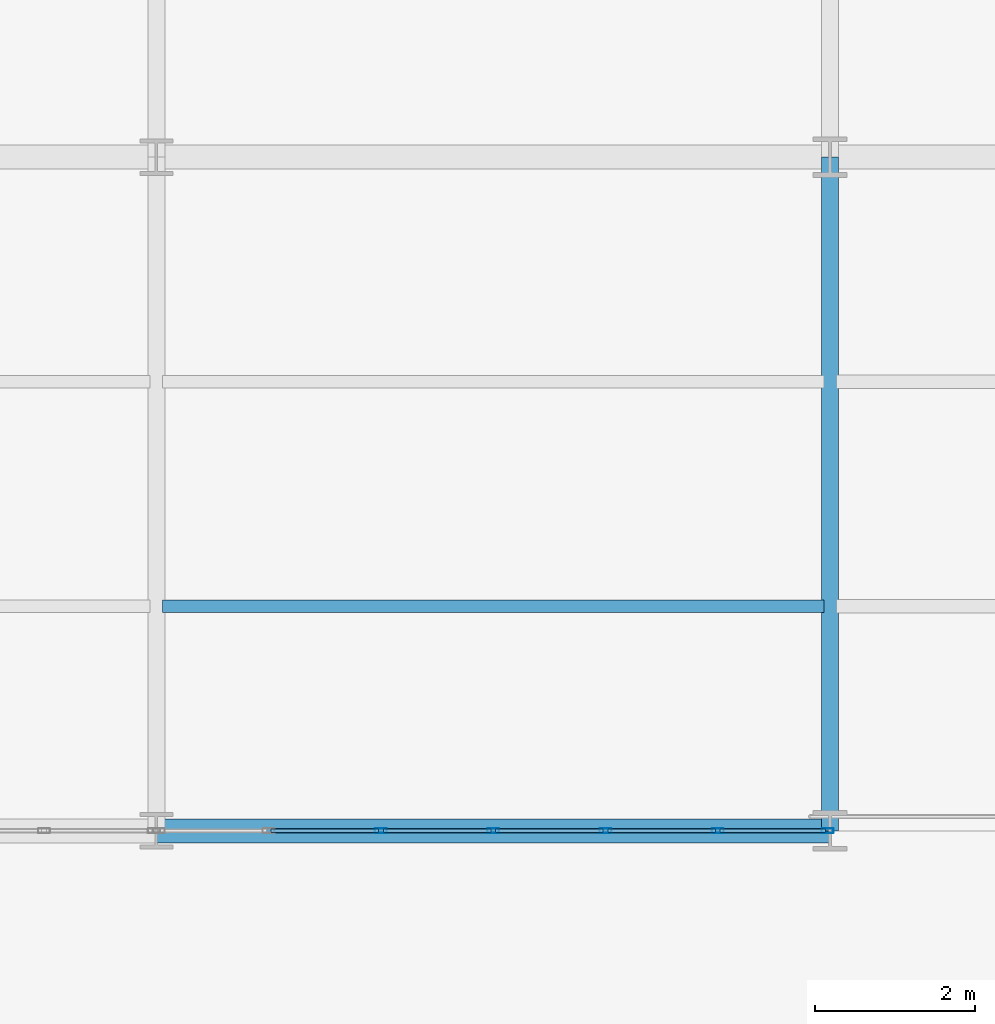
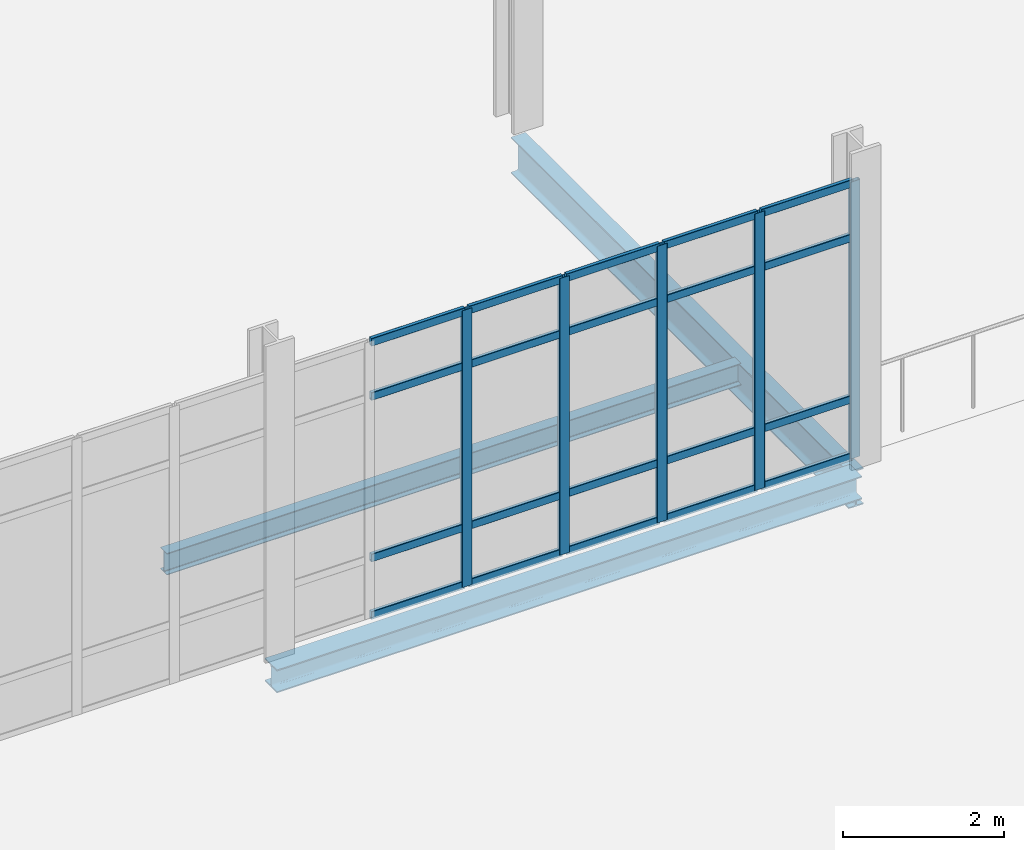
# One storey, part 105 of 145: 25 members, 3 beams, 1 element without a shape of its own.
"""IFC4 building model written with IfcOpenShell, lengths in metres."""

import ifcopenshell
import ifcopenshell.guid

model = None  # the IFC model being written
_history = None  # IfcOwnerHistory: only IFC2X3 demands one
_inside = {}  # id of a spatial element -> (the spatial element, [elements in it])
_under = {}  # id of a project, library or spatial element -> (it, [spatial elements below it])
_declared = {}  # id of a project -> (the project, [libraries it declares])
_typed = {}  # id of a type object -> (the type object, [elements of that type])
_made_of = {}  # id of a material, layer set ... -> (it, [elements and type objects made of it])


def new_model(schema):
    """Start an empty IFC model of exactly this schema.

    Asked for "IFC4X3", IfcOpenShell would pick the latest addendum, in which some entities
    have other attributes; the version numbers below select the first issue.
    IFC2X3 requires an IfcOwnerHistory on every rooted entity: one is made here for all.
    """
    global model, _history
    if schema == "IFC4X3":
        model = ifcopenshell.file(schema_version=(4, 3, 0, 0))
    else:
        model = ifcopenshell.file(schema=schema)
    _inside.clear()
    _under.clear()
    _declared.clear()
    _typed.clear()
    _made_of.clear()
    _history = None
    if model.schema == "IFC2X3":
        org = make("IfcOrganization", Name="unknown")
        user = make(
            "IfcPersonAndOrganization",
            ThePerson=make("IfcPerson", FamilyName="unknown"),
            TheOrganization=org,
        )
        app = make(
            "IfcApplication",
            ApplicationDeveloper=org,
            Version="unknown",
            ApplicationFullName="unknown",
            ApplicationIdentifier="unknown",
        )
        _history = make(
            "IfcOwnerHistory",
            OwningUser=user,
            OwningApplication=app,
            ChangeAction="ADDED",
            CreationDate=0,
        )
    return model


def make(cls, **values):
    """One entity of the class cls with the attributes given. An attribute that is None is left unset."""
    return model.create_entity(
        cls, **{name: value for name, value in values.items() if value is not None}
    )


def rooted(cls, **values):
    """An entity with a GlobalId (a new one), such as an element, a storey or a relation."""
    return make(cls, GlobalId=ifcopenshell.guid.new(), OwnerHistory=_history, **values)


def si_unit(unit_type, name, prefix=None):
    """IfcSIUnit, for example si_unit("LENGTHUNIT", "METRE", prefix="MILLI")."""
    return make("IfcSIUnit", UnitType=unit_type, Prefix=prefix, Name=name)


def assignment(units):
    """IfcUnitAssignment: the units of a project."""
    return None if units is None else make("IfcUnitAssignment", Units=units)


def point(xyz):
    """IfcCartesianPoint."""
    return None if xyz is None else make("IfcCartesianPoint", Coordinates=xyz)


def direction(xyz):
    """IfcDirection."""
    return None if xyz is None else make("IfcDirection", DirectionRatios=xyz)


def frame(location, z_axis=None, x_axis=None):
    """IfcAxis2Placement3D, a coordinate frame: its origin and axes. An axis left out is left unset."""
    return make(
        "IfcAxis2Placement3D",
        Location=point(location),
        Axis=direction(z_axis),
        RefDirection=direction(x_axis),
    )


def frame_2d(location, x_axis=None):
    """IfcAxis2Placement2D, a coordinate frame in the plane: its origin and x axis."""
    return make(
        "IfcAxis2Placement2D", Location=point(location), RefDirection=direction(x_axis)
    )


def origin():
    """The frame at (0, 0, 0) with its axes left unset."""
    return frame((0.0, 0.0, 0.0))


def origin_2d():
    """The frame at (0, 0) in the plane with its x axis left unset."""
    return frame_2d((0.0, 0.0))


def place(relative_to, where):
    """IfcLocalPlacement: puts the frame where relative to a parent placement (None: the world)."""
    return make(
        "IfcLocalPlacement", PlacementRelTo=relative_to, RelativePlacement=where
    )


def context(
    kind, dimensions, precision=None, world=None, true_north=None, identifier=None
):
    """IfcGeometricRepresentationContext, for example the 3D "Model" context."""
    return make(
        "IfcGeometricRepresentationContext",
        ContextIdentifier=identifier,
        ContextType=kind,
        CoordinateSpaceDimension=dimensions,
        Precision=precision,
        WorldCoordinateSystem=world,
        TrueNorth=true_north,
    )


def subcontext(parent, identifier, kind, view, scale=None):
    """IfcGeometricRepresentationSubContext, for example "Body" below "Model"."""
    return make(
        "IfcGeometricRepresentationSubContext",
        ContextIdentifier=identifier,
        ContextType=kind,
        ParentContext=parent,
        TargetScale=scale,
        TargetView=view,
    )


def project(units=None, contexts=None):
    """IfcProject with its units and contexts."""
    return rooted(
        "IfcProject",
        Name="project",
        RepresentationContexts=contexts,
        UnitsInContext=assignment(units),
    )


def spatial(cls, under=None, at=None, **own):
    """A site, building, storey or space (cls), placed at a placement, below another one or the project."""
    s = rooted(cls, ObjectPlacement=at, **own)
    if under is not None:
        _under.setdefault(under.id(), (under, []))[1].append(s)
    return s


def profile(cls, at=None, kind="AREA", **sizes):
    """A parametric profile (cls). Its sizes go by their IFC names, for example OverallWidth=200.0."""
    return make(cls, ProfileType=kind, Position=at, **sizes)


def hollow_rectangle(**sizes):
    """IfcRectangleHollowProfileDef."""
    return profile("IfcRectangleHollowProfileDef", **sizes)


def i_section(**sizes):
    """IfcIShapeProfileDef."""
    return profile("IfcIShapeProfileDef", **sizes)


def extrude(swept, where, along, depth):
    """IfcExtrudedAreaSolid: the profile swept, set in the frame where, extruded along a direction by depth."""
    return make(
        "IfcExtrudedAreaSolid",
        SweptArea=swept,
        Position=where,
        ExtrudedDirection=direction(along),
        Depth=depth,
    )


def shape(context_of_items, identifier, shape_type, items):
    """IfcShapeRepresentation: the items that make up one representation, for example the "Body"."""
    return make(
        "IfcShapeRepresentation",
        ContextOfItems=context_of_items,
        RepresentationIdentifier=identifier,
        RepresentationType=shape_type,
        Items=items,
    )


def material(Name=None, Category=None):
    """IfcMaterial."""
    return make("IfcMaterial", Name=Name, Category=Category)


def layer(
    of_material, thickness, ventilated=None, Name=None, Category=None, Priority=None
):
    """IfcMaterialLayer: one layer of a wall or slab, of a material (None: an air gap)."""
    return make(
        "IfcMaterialLayer",
        Material=of_material,
        LayerThickness=thickness,
        IsVentilated=ventilated,
        Name=Name,
        Category=Category,
        Priority=Priority,
    )


def layer_set(layers, Name=None):
    """IfcMaterialLayerSet."""
    return make("IfcMaterialLayerSet", MaterialLayers=layers, LayerSetName=Name)


def material_profile(
    of_material, cross_section, Name=None, Category=None, Priority=None
):
    """IfcMaterialProfile: a cross section and its material."""
    return make(
        "IfcMaterialProfile",
        Name=Name,
        Material=of_material,
        Profile=cross_section,
        Priority=Priority,
        Category=Category,
    )


def profile_set(profiles, Name=None, composite=None):
    """IfcMaterialProfileSet."""
    return make(
        "IfcMaterialProfileSet",
        Name=Name,
        MaterialProfiles=profiles,
        CompositeProfile=composite,
    )


def made_of(thing, what):
    """Note that an element or type object is made of a material, layer set ...; save() writes the relation."""
    if what is not None:
        _made_of.setdefault(what.id(), (what, []))[1].append(thing)
    return thing


def type_object(cls, material=None, **own):
    """A type object (cls), such as IfcWallType, which elements share."""
    return made_of(rooted(cls, **own), material)


def element(
    cls,
    number,
    at=None,
    inside=None,
    cuts=None,
    type_object=None,
    material=None,
    context=None,
    identifier="Body",
    shape_type=None,
    held_by="IfcProductDefinitionShape",
    body=None,
    shapes=None,
    **own,
):
    """One element of the class cls, such as IfcWall. Its Tag is "e" and its number.

    at: its placement. inside: the storey or other place that contains it. cuts: it is an
    opening in that element (IfcRelVoidsElement). A single representation is given by context,
    identifier, shape_type and body (its items); several are given by shapes. held_by: the class
    of the entity that holds the representations. save() writes the other relations.
    """
    e = rooted(cls, Tag="e%d" % number, ObjectPlacement=at, **own)
    if body is not None:
        shapes = [shape(context, identifier, shape_type, body)]
    if shapes is not None:
        e.Representation = make(held_by, Representations=shapes)
    if inside is not None:
        _inside.setdefault(inside.id(), (inside, []))[1].append(e)
    if cuts is not None:
        rooted(
            "IfcRelVoidsElement", RelatingBuildingElement=cuts, RelatedOpeningElement=e
        )
    if type_object is not None:
        _typed.setdefault(type_object.id(), (type_object, []))[1].append(e)
    return made_of(e, material)


def aggregate(whole, parts):
    """IfcRelAggregates: a whole, such as a stair, and the parts it consists of."""
    return rooted("IfcRelAggregates", RelatingObject=whole, RelatedObjects=parts)


def save(model, path):
    """Write the relations noted so far, then the file.

    IfcRelAggregates (storeys below a building ...), IfcRelContainedInSpatialStructure (elements
    in a storey), IfcRelDefinesByType, IfcRelAssociatesMaterial and IfcRelDeclares: one each for
    every whole, place, type object, material and project.
    """
    for whole, parts in _under.values():
        aggregate(whole, parts)
    for where, things in _inside.values():
        rooted(
            "IfcRelContainedInSpatialStructure",
            RelatedElements=things,
            RelatingStructure=where,
        )
    for kind, things in _typed.values():
        rooted("IfcRelDefinesByType", RelatedObjects=things, RelatingType=kind)
    for what, things in _made_of.values():
        rooted("IfcRelAssociatesMaterial", RelatedObjects=things, RelatingMaterial=what)
    for by, libraries in _declared.values():
        rooted("IfcRelDeclares", RelatingContext=by, RelatedDefinitions=libraries)
    model.write(path)


model = new_model("IFC4")

# Units and contexts
model_context = context("Model", 3, precision=1e-05, world=origin(), true_north=direction((0.0, 1.0)))
body_context = subcontext(model_context, "Body", "Model", "MODEL_VIEW")
ifc_project = project(units=[si_unit("LENGTHUNIT", "METRE"), si_unit("AREAUNIT", "SQUARE_METRE"), si_unit("VOLUMEUNIT", "CUBIC_METRE"), si_unit("PLANEANGLEUNIT", "RADIAN"), si_unit("MASSUNIT", "GRAM", prefix="KILO")], contexts=[model_context])

# Site, building, storey
site_placement = place(None, origin())
site = spatial("IfcSite", under=ifc_project, at=site_placement, CompositionType="ELEMENT")
building_placement = place(site_placement, origin())
building = spatial("IfcBuilding", under=site, at=building_placement, Name="Qalvenar Corner Mobility Hub", CompositionType="ELEMENT")
storey_placement = place(building_placement, origin())
storey = spatial("IfcBuildingStorey", under=building, at=storey_placement, Name="L00", CompositionType="ELEMENT", Elevation=0.0)

# Beams
ifc_material_1 = material(Name="Steel S355", Category="steel")
ifc_material_profile_1 = material_profile(ifc_material_1, i_section(OverallWidth=0.2099609375, OverallDepth=0.550048828125, WebThickness=0.010986328125, FlangeThickness=0.01708984375, FilletRadius=0.02392578125, at=origin_2d()), Name="IPE550")
ifc_profile_set_1 = profile_set([ifc_material_profile_1], Name="Steel S355")
beam_type_1 = type_object("IfcBeamType", Name="BM-IPE550", PredefinedType="BEAM", material=ifc_profile_set_1)
beam_1_placement = place(storey_placement, frame((134.39990234375, 67.199951171875, -0.4951171875), z_axis=(0.0, 1.0, 0.0), x_axis=(-1.0, 0.0, 0.0)))
element("IfcBeam", 1, at=beam_1_placement, inside=storey, type_object=beam_type_1, Name="Primary Steel Girder GY-0641", PredefinedType="BEAM", context=body_context, shape_type="SweptSolid", body=[
    extrude(i_section(OverallWidth=0.2099609375, OverallDepth=0.550048828125, WebThickness=0.010986328125, FlangeThickness=0.01708984375, FilletRadius=0.02392578125, at=origin_2d()), origin(), (0.0, 0.0, 1.0), 8.400146484375),
])
ifc_material_profile_2 = material_profile(ifc_material_1, i_section(OverallWidth=0.159912109375, OverallDepth=0.330078125, WebThickness=0.007568359375, FlangeThickness=0.011474609375, FilletRadius=0.01806640625, at=origin_2d()), Name="IPE330")
ifc_profile_set_2 = profile_set([ifc_material_profile_2], Name="Steel S355")
beam_type_2 = type_object("IfcBeamType", Name="BM-JST330", PredefinedType="JOIST", material=ifc_profile_set_2)
beam_2_placement = place(storey_placement, frame((126.077880859375, 70.0, -0.385009765625), z_axis=(1.0, 0.0, 0.0), x_axis=(0.0, 1.0, 0.0)))
element("IfcBeam", 2, at=beam_2_placement, inside=storey, type_object=beam_type_2, Name="Composite Floor Joist J-0741", PredefinedType="JOIST", context=body_context, shape_type="SweptSolid", body=[
    extrude(i_section(OverallWidth=0.159912109375, OverallDepth=0.330078125, WebThickness=0.007568359375, FlangeThickness=0.011474609375, FilletRadius=0.01806640625, at=origin_2d()), origin(), (0.0, 0.0, 1.0), 8.244140625),
])
ifc_material_profile_3 = material_profile(ifc_material_1, i_section(OverallWidth=0.300048828125, OverallDepth=0.35009765625, WebThickness=0.010009765625, FlangeThickness=0.017578125, FilletRadius=0.027099609375, at=origin_2d()), Name="HEA360")
ifc_profile_set_3 = profile_set([ifc_material_profile_3], Name="Steel S355")
beam_type_3 = type_object("IfcBeamType", Name="BM-SPN360", PredefinedType="SPANDREL", material=ifc_profile_set_3)
beam_3_placement = place(storey_placement, frame((126.0, 67.199951171875, -0.39501953125), z_axis=(1.0, 0.0, 0.0), x_axis=(0.0, 1.0, 0.0)))
element("IfcBeam", 3, at=beam_3_placement, inside=storey, type_object=beam_type_3, Name="Primary Steel Girder GX-0530", PredefinedType="SPANDREL", context=body_context, shape_type="SweptSolid", body=[
    extrude(i_section(OverallWidth=0.300048828125, OverallDepth=0.35009765625, WebThickness=0.010009765625, FlangeThickness=0.017578125, FilletRadius=0.027099609375, at=origin_2d()), origin(), (0.0, 0.0, 1.0), 8.39990234375),
])

# Curtain wall, members
ifc_material_2 = material(Name="Anodised Aluminium and Low-E Glazing", Category="aluminium")
ifc_layer = layer(ifc_material_2, 0.14990234375)
ifc_layer_set = layer_set([ifc_layer], Name="Anodised Aluminium and Low-E Glazing")
curtain_wall_type = type_object("IfcCurtainWallType", Name="CW-MOB-84X46", PredefinedType="NOTDEFINED", material=ifc_layer_set)
curtain_wall_placement = place(storey_placement, origin())
curtain_wall = element("IfcCurtainWall", 4, at=curtain_wall_placement, inside=storey, type_object=curtain_wall_type, Name="Glazed Curtain Wall CW-V4-L00-S8", PredefinedType="NOTDEFINED")
ifc_material_3 = material(Name="Anodised Aluminium 6063-T6", Category="aluminium")
ifc_material_profile_4 = material_profile(ifc_material_3, hollow_rectangle(XDim=0.06005859375, YDim=0.14990234375, WallThickness=0.00390625, InnerFilletRadius=0.00390625, OuterFilletRadius=0.008056640625, at=origin_2d()), Name="RHS150x60x4")
ifc_profile_set_4 = profile_set([ifc_material_profile_4], Name="Anodised Aluminium 6063-T6")
member_type_1 = type_object("IfcMemberType", Name="CW-MUL150", PredefinedType="MULLION", material=ifc_profile_set_4)
member_1_placement = place(storey_placement, frame((128.800048828125, 67.199951171875, 0.0), z_axis=(0.0, 0.0, 1.0), x_axis=(0.0, 1.0, 0.0)))
member_1 = element("IfcMember", 5, at=member_1_placement, type_object=member_type_1, Name="CW-03 mullion 3", PredefinedType="MULLION", context=body_context, shape_type="SweptSolid", body=[
    extrude(hollow_rectangle(XDim=0.06005859375, YDim=0.14990234375, WallThickness=0.00390625, InnerFilletRadius=0.00390625, OuterFilletRadius=0.008056640625, at=origin_2d()), origin(), (0.0, 0.0, 1.0), 4.199951171875),
])
member_2_placement = place(storey_placement, frame((130.199951171875, 67.199951171875, 0.0), z_axis=(0.0, 0.0, 1.0), x_axis=(0.0, 1.0, 0.0)))
member_2 = element("IfcMember", 6, at=member_2_placement, type_object=member_type_1, Name="CW-03 mullion 4", PredefinedType="MULLION", context=body_context, shape_type="SweptSolid", body=[
    extrude(hollow_rectangle(XDim=0.06005859375, YDim=0.14990234375, WallThickness=0.00390625, InnerFilletRadius=0.00390625, OuterFilletRadius=0.008056640625, at=origin_2d()), origin(), (0.0, 0.0, 1.0), 4.199951171875),
])
member_3_placement = place(storey_placement, frame((131.60009765625, 67.199951171875, 0.0), z_axis=(0.0, 0.0, 1.0), x_axis=(0.0, 1.0, 0.0)))
member_3 = element("IfcMember", 7, at=member_3_placement, type_object=member_type_1, Name="CW-03 mullion 5", PredefinedType="MULLION", context=body_context, shape_type="SweptSolid", body=[
    extrude(hollow_rectangle(XDim=0.06005859375, YDim=0.14990234375, WallThickness=0.00390625, InnerFilletRadius=0.00390625, OuterFilletRadius=0.008056640625, at=origin_2d()), origin(), (0.0, 0.0, 1.0), 4.199951171875),
])
member_4_placement = place(storey_placement, frame((133.0, 67.199951171875, 0.0), z_axis=(0.0, 0.0, 1.0), x_axis=(0.0, 1.0, 0.0)))
member_4 = element("IfcMember", 8, at=member_4_placement, type_object=member_type_1, Name="CW-03 mullion 6", PredefinedType="MULLION", context=body_context, shape_type="SweptSolid", body=[
    extrude(hollow_rectangle(XDim=0.06005859375, YDim=0.14990234375, WallThickness=0.00390625, InnerFilletRadius=0.00390625, OuterFilletRadius=0.008056640625, at=origin_2d()), origin(), (0.0, 0.0, 1.0), 4.199951171875),
])
member_5_placement = place(storey_placement, frame((134.3701171875, 67.199951171875, 0.0), z_axis=(0.0, 0.0, 1.0), x_axis=(0.0, 1.0, 0.0)))
member_5 = element("IfcMember", 9, at=member_5_placement, type_object=member_type_1, Name="CW-03 mullion 7", PredefinedType="MULLION", context=body_context, shape_type="SweptSolid", body=[
    extrude(hollow_rectangle(XDim=0.06005859375, YDim=0.14990234375, WallThickness=0.00390625, InnerFilletRadius=0.00390625, OuterFilletRadius=0.008056640625, at=origin_2d()), origin(), (0.0, 0.0, 1.0), 4.199951171875),
])
ifc_material_profile_5 = material_profile(ifc_material_3, hollow_rectangle(XDim=0.054931640625, YDim=0.1201171875, WallThickness=0.00341796875, InnerFilletRadius=0.00341796875, OuterFilletRadius=0.007080078125, at=origin_2d()), Name="RHS120x55x3.5")
ifc_profile_set_5 = profile_set([ifc_material_profile_5], Name="Anodised Aluminium 6063-T6")
member_type_2 = type_object("IfcMemberType", Name="CW-TRN120", PredefinedType="USERDEFINED", material=ifc_profile_set_5)
member_6_placement = place(storey_placement, frame((127.429931640625, 67.199951171875, 0.027587890625), z_axis=(1.0, 0.0, 0.0), x_axis=(0.0, 1.0, 0.0)))
member_6 = element("IfcMember", 10, at=member_6_placement, type_object=member_type_2, Name="CW-03 transom 2.1", ObjectType="TRANSOM", PredefinedType="USERDEFINED", context=body_context, shape_type="SweptSolid", body=[
    extrude(hollow_rectangle(XDim=0.054931640625, YDim=0.1201171875, WallThickness=0.00341796875, InnerFilletRadius=0.00341796875, OuterFilletRadius=0.007080078125, at=origin_2d()), origin(), (0.0, 0.0, 1.0), 1.340087890625),
])
member_7_placement = place(storey_placement, frame((127.429931640625, 67.199951171875, 0.89990234375), z_axis=(1.0, 0.0, 0.0), x_axis=(0.0, 1.0, 0.0)))
member_7 = element("IfcMember", 11, at=member_7_placement, type_object=member_type_2, Name="CW-03 transom 2.2", ObjectType="TRANSOM", PredefinedType="USERDEFINED", context=body_context, shape_type="SweptSolid", body=[
    extrude(hollow_rectangle(XDim=0.054931640625, YDim=0.1201171875, WallThickness=0.00341796875, InnerFilletRadius=0.00341796875, OuterFilletRadius=0.007080078125, at=origin_2d()), origin(), (0.0, 0.0, 1.0), 1.340087890625),
])
member_8_placement = place(storey_placement, frame((127.429931640625, 67.199951171875, 3.35009765625), z_axis=(1.0, 0.0, 0.0), x_axis=(0.0, 1.0, 0.0)))
member_8 = element("IfcMember", 12, at=member_8_placement, type_object=member_type_2, Name="CW-03 transom 2.3", ObjectType="TRANSOM", PredefinedType="USERDEFINED", context=body_context, shape_type="SweptSolid", body=[
    extrude(hollow_rectangle(XDim=0.054931640625, YDim=0.1201171875, WallThickness=0.00341796875, InnerFilletRadius=0.00341796875, OuterFilletRadius=0.007080078125, at=origin_2d()), origin(), (0.0, 0.0, 1.0), 1.340087890625),
])
member_9_placement = place(storey_placement, frame((127.429931640625, 67.199951171875, 4.172607421875), z_axis=(1.0, 0.0, 0.0), x_axis=(0.0, 1.0, 0.0)))
member_9 = element("IfcMember", 13, at=member_9_placement, type_object=member_type_2, Name="CW-03 transom 2.4", ObjectType="TRANSOM", PredefinedType="USERDEFINED", context=body_context, shape_type="SweptSolid", body=[
    extrude(hollow_rectangle(XDim=0.054931640625, YDim=0.1201171875, WallThickness=0.00341796875, InnerFilletRadius=0.00341796875, OuterFilletRadius=0.007080078125, at=origin_2d()), origin(), (0.0, 0.0, 1.0), 1.340087890625),
])
member_10_placement = place(storey_placement, frame((128.830078125, 67.199951171875, 0.027587890625), z_axis=(1.0, 0.0, 0.0), x_axis=(0.0, 1.0, 0.0)))
member_10 = element("IfcMember", 14, at=member_10_placement, type_object=member_type_2, Name="CW-03 transom 3.1", ObjectType="TRANSOM", PredefinedType="USERDEFINED", context=body_context, shape_type="SweptSolid", body=[
    extrude(hollow_rectangle(XDim=0.054931640625, YDim=0.1201171875, WallThickness=0.00341796875, InnerFilletRadius=0.00341796875, OuterFilletRadius=0.007080078125, at=origin_2d()), origin(), (0.0, 0.0, 1.0), 1.33984375),
])
member_11_placement = place(storey_placement, frame((128.830078125, 67.199951171875, 0.89990234375), z_axis=(1.0, 0.0, 0.0), x_axis=(0.0, 1.0, 0.0)))
member_11 = element("IfcMember", 15, at=member_11_placement, type_object=member_type_2, Name="CW-03 transom 3.2", ObjectType="TRANSOM", PredefinedType="USERDEFINED", context=body_context, shape_type="SweptSolid", body=[
    extrude(hollow_rectangle(XDim=0.054931640625, YDim=0.1201171875, WallThickness=0.00341796875, InnerFilletRadius=0.00341796875, OuterFilletRadius=0.007080078125, at=origin_2d()), origin(), (0.0, 0.0, 1.0), 1.33984375),
])
member_12_placement = place(storey_placement, frame((128.830078125, 67.199951171875, 3.35009765625), z_axis=(1.0, 0.0, 0.0), x_axis=(0.0, 1.0, 0.0)))
member_12 = element("IfcMember", 16, at=member_12_placement, type_object=member_type_2, Name="CW-03 transom 3.3", ObjectType="TRANSOM", PredefinedType="USERDEFINED", context=body_context, shape_type="SweptSolid", body=[
    extrude(hollow_rectangle(XDim=0.054931640625, YDim=0.1201171875, WallThickness=0.00341796875, InnerFilletRadius=0.00341796875, OuterFilletRadius=0.007080078125, at=origin_2d()), origin(), (0.0, 0.0, 1.0), 1.33984375),
])
member_13_placement = place(storey_placement, frame((128.830078125, 67.199951171875, 4.172607421875), z_axis=(1.0, 0.0, 0.0), x_axis=(0.0, 1.0, 0.0)))
member_13 = element("IfcMember", 17, at=member_13_placement, type_object=member_type_2, Name="CW-03 transom 3.4", ObjectType="TRANSOM", PredefinedType="USERDEFINED", context=body_context, shape_type="SweptSolid", body=[
    extrude(hollow_rectangle(XDim=0.054931640625, YDim=0.1201171875, WallThickness=0.00341796875, InnerFilletRadius=0.00341796875, OuterFilletRadius=0.007080078125, at=origin_2d()), origin(), (0.0, 0.0, 1.0), 1.33984375),
])
member_14_placement = place(storey_placement, frame((130.22998046875, 67.199951171875, 0.027587890625), z_axis=(1.0, 0.0, 0.0), x_axis=(0.0, 1.0, 0.0)))
member_14 = element("IfcMember", 18, at=member_14_placement, type_object=member_type_2, Name="CW-03 transom 4.1", ObjectType="TRANSOM", PredefinedType="USERDEFINED", context=body_context, shape_type="SweptSolid", body=[
    extrude(hollow_rectangle(XDim=0.054931640625, YDim=0.1201171875, WallThickness=0.00341796875, InnerFilletRadius=0.00341796875, OuterFilletRadius=0.007080078125, at=origin_2d()), origin(), (0.0, 0.0, 1.0), 1.340087890625),
])
member_15_placement = place(storey_placement, frame((130.22998046875, 67.199951171875, 0.89990234375), z_axis=(1.0, 0.0, 0.0), x_axis=(0.0, 1.0, 0.0)))
member_15 = element("IfcMember", 19, at=member_15_placement, type_object=member_type_2, Name="CW-03 transom 4.2", ObjectType="TRANSOM", PredefinedType="USERDEFINED", context=body_context, shape_type="SweptSolid", body=[
    extrude(hollow_rectangle(XDim=0.054931640625, YDim=0.1201171875, WallThickness=0.00341796875, InnerFilletRadius=0.00341796875, OuterFilletRadius=0.007080078125, at=origin_2d()), origin(), (0.0, 0.0, 1.0), 1.340087890625),
])
member_16_placement = place(storey_placement, frame((130.22998046875, 67.199951171875, 3.35009765625), z_axis=(1.0, 0.0, 0.0), x_axis=(0.0, 1.0, 0.0)))
member_16 = element("IfcMember", 20, at=member_16_placement, type_object=member_type_2, Name="CW-03 transom 4.3", ObjectType="TRANSOM", PredefinedType="USERDEFINED", context=body_context, shape_type="SweptSolid", body=[
    extrude(hollow_rectangle(XDim=0.054931640625, YDim=0.1201171875, WallThickness=0.00341796875, InnerFilletRadius=0.00341796875, OuterFilletRadius=0.007080078125, at=origin_2d()), origin(), (0.0, 0.0, 1.0), 1.340087890625),
])
member_17_placement = place(storey_placement, frame((130.22998046875, 67.199951171875, 4.172607421875), z_axis=(1.0, 0.0, 0.0), x_axis=(0.0, 1.0, 0.0)))
member_17 = element("IfcMember", 21, at=member_17_placement, type_object=member_type_2, Name="CW-03 transom 4.4", ObjectType="TRANSOM", PredefinedType="USERDEFINED", context=body_context, shape_type="SweptSolid", body=[
    extrude(hollow_rectangle(XDim=0.054931640625, YDim=0.1201171875, WallThickness=0.00341796875, InnerFilletRadius=0.00341796875, OuterFilletRadius=0.007080078125, at=origin_2d()), origin(), (0.0, 0.0, 1.0), 1.340087890625),
])
member_18_placement = place(storey_placement, frame((131.6298828125, 67.199951171875, 0.027587890625), z_axis=(1.0, 0.0, 0.0), x_axis=(0.0, 1.0, 0.0)))
member_18 = element("IfcMember", 22, at=member_18_placement, type_object=member_type_2, Name="CW-03 transom 5.1", ObjectType="TRANSOM", PredefinedType="USERDEFINED", context=body_context, shape_type="SweptSolid", body=[
    extrude(hollow_rectangle(XDim=0.054931640625, YDim=0.1201171875, WallThickness=0.00341796875, InnerFilletRadius=0.00341796875, OuterFilletRadius=0.007080078125, at=origin_2d()), origin(), (0.0, 0.0, 1.0), 1.340087890625),
])
member_19_placement = place(storey_placement, frame((131.6298828125, 67.199951171875, 0.89990234375), z_axis=(1.0, 0.0, 0.0), x_axis=(0.0, 1.0, 0.0)))
member_19 = element("IfcMember", 23, at=member_19_placement, type_object=member_type_2, Name="CW-03 transom 5.2", ObjectType="TRANSOM", PredefinedType="USERDEFINED", context=body_context, shape_type="SweptSolid", body=[
    extrude(hollow_rectangle(XDim=0.054931640625, YDim=0.1201171875, WallThickness=0.00341796875, InnerFilletRadius=0.00341796875, OuterFilletRadius=0.007080078125, at=origin_2d()), origin(), (0.0, 0.0, 1.0), 1.340087890625),
])
member_20_placement = place(storey_placement, frame((131.6298828125, 67.199951171875, 3.35009765625), z_axis=(1.0, 0.0, 0.0), x_axis=(0.0, 1.0, 0.0)))
member_20 = element("IfcMember", 24, at=member_20_placement, type_object=member_type_2, Name="CW-03 transom 5.3", ObjectType="TRANSOM", PredefinedType="USERDEFINED", context=body_context, shape_type="SweptSolid", body=[
    extrude(hollow_rectangle(XDim=0.054931640625, YDim=0.1201171875, WallThickness=0.00341796875, InnerFilletRadius=0.00341796875, OuterFilletRadius=0.007080078125, at=origin_2d()), origin(), (0.0, 0.0, 1.0), 1.340087890625),
])
member_21_placement = place(storey_placement, frame((131.6298828125, 67.199951171875, 4.172607421875), z_axis=(1.0, 0.0, 0.0), x_axis=(0.0, 1.0, 0.0)))
member_21 = element("IfcMember", 25, at=member_21_placement, type_object=member_type_2, Name="CW-03 transom 5.4", ObjectType="TRANSOM", PredefinedType="USERDEFINED", context=body_context, shape_type="SweptSolid", body=[
    extrude(hollow_rectangle(XDim=0.054931640625, YDim=0.1201171875, WallThickness=0.00341796875, InnerFilletRadius=0.00341796875, OuterFilletRadius=0.007080078125, at=origin_2d()), origin(), (0.0, 0.0, 1.0), 1.340087890625),
])
member_22_placement = place(storey_placement, frame((133.030029296875, 67.199951171875, 0.027587890625), z_axis=(1.0, 0.0, 0.0), x_axis=(0.0, 1.0, 0.0)))
member_22 = element("IfcMember", 26, at=member_22_placement, type_object=member_type_2, Name="CW-03 transom 6.1", ObjectType="TRANSOM", PredefinedType="USERDEFINED", context=body_context, shape_type="SweptSolid", body=[
    extrude(hollow_rectangle(XDim=0.054931640625, YDim=0.1201171875, WallThickness=0.00341796875, InnerFilletRadius=0.00341796875, OuterFilletRadius=0.007080078125, at=origin_2d()), origin(), (0.0, 0.0, 1.0), 1.31005859375),
])
member_23_placement = place(storey_placement, frame((133.030029296875, 67.199951171875, 0.89990234375), z_axis=(1.0, 0.0, 0.0), x_axis=(0.0, 1.0, 0.0)))
member_23 = element("IfcMember", 27, at=member_23_placement, type_object=member_type_2, Name="CW-03 transom 6.2", ObjectType="TRANSOM", PredefinedType="USERDEFINED", context=body_context, shape_type="SweptSolid", body=[
    extrude(hollow_rectangle(XDim=0.054931640625, YDim=0.1201171875, WallThickness=0.00341796875, InnerFilletRadius=0.00341796875, OuterFilletRadius=0.007080078125, at=origin_2d()), origin(), (0.0, 0.0, 1.0), 1.31005859375),
])
member_24_placement = place(storey_placement, frame((133.030029296875, 67.199951171875, 3.35009765625), z_axis=(1.0, 0.0, 0.0), x_axis=(0.0, 1.0, 0.0)))
member_24 = element("IfcMember", 28, at=member_24_placement, type_object=member_type_2, Name="CW-03 transom 6.3", ObjectType="TRANSOM", PredefinedType="USERDEFINED", context=body_context, shape_type="SweptSolid", body=[
    extrude(hollow_rectangle(XDim=0.054931640625, YDim=0.1201171875, WallThickness=0.00341796875, InnerFilletRadius=0.00341796875, OuterFilletRadius=0.007080078125, at=origin_2d()), origin(), (0.0, 0.0, 1.0), 1.31005859375),
])
member_25_placement = place(storey_placement, frame((133.030029296875, 67.199951171875, 4.172607421875), z_axis=(1.0, 0.0, 0.0), x_axis=(0.0, 1.0, 0.0)))
member_25 = element("IfcMember", 29, at=member_25_placement, type_object=member_type_2, Name="CW-03 transom 6.4", ObjectType="TRANSOM", PredefinedType="USERDEFINED", context=body_context, shape_type="SweptSolid", body=[
    extrude(hollow_rectangle(XDim=0.054931640625, YDim=0.1201171875, WallThickness=0.00341796875, InnerFilletRadius=0.00341796875, OuterFilletRadius=0.007080078125, at=origin_2d()), origin(), (0.0, 0.0, 1.0), 1.31005859375),
])
aggregate(curtain_wall, [member_1, member_2, member_3, member_4, member_5, member_6, member_7, member_8, member_9, member_10, member_11, member_12, member_13, member_14, member_15, member_16, member_17, member_18, member_19, member_20, member_21, member_22, member_23, member_24, member_25])

save(model, "model.ifc")
